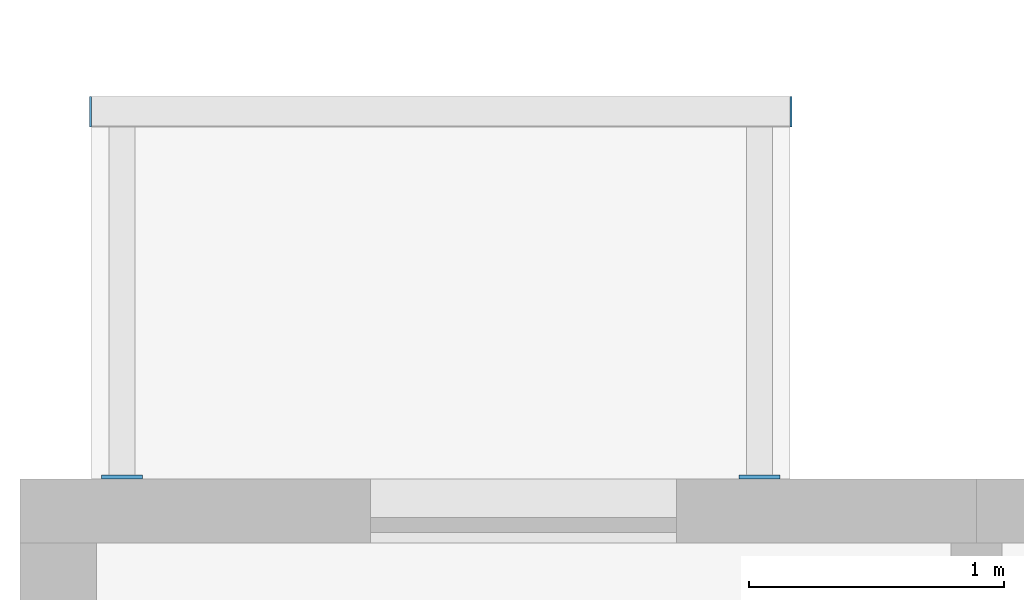
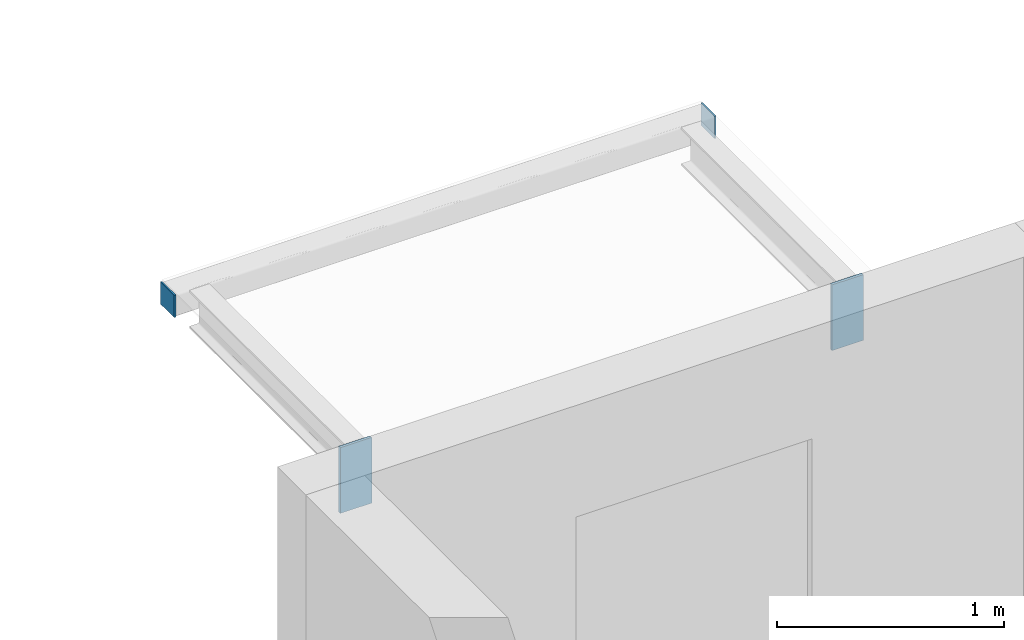
# One storey, part 55 of 78: 4 discrete accessories.
"""IFC4 building model written with IfcOpenShell, lengths in metres."""

from ifc_helpers import new_model, si_unit, direction, frame, origin, origin_2d, place, context, subcontext, project, spatial, rectangle, extrude, material, layer, layer_set, type_object, element, save


model = new_model("IFC4")

# Units and contexts
model_context = context("Model", 3, precision=1e-05, world=origin(), true_north=direction((0.0, 1.0)))
body_context = subcontext(model_context, "Body", "Model", "MODEL_VIEW")
ifc_project = project(units=[si_unit("LENGTHUNIT", "METRE"), si_unit("AREAUNIT", "SQUARE_METRE"), si_unit("VOLUMEUNIT", "CUBIC_METRE"), si_unit("PLANEANGLEUNIT", "RADIAN"), si_unit("MASSUNIT", "GRAM", prefix="KILO")], contexts=[model_context])

# Site, building, storey
site_placement = place(None, origin())
site = spatial("IfcSite", under=ifc_project, at=site_placement, CompositionType="ELEMENT")
building_placement = place(site_placement, origin())
building = spatial("IfcBuilding", under=site, at=building_placement, Name="Ridgestep Commons", CompositionType="ELEMENT")
storey_placement = place(building_placement, frame((0.0, 0.0, 30.0)))
storey = spatial("IfcBuildingStorey", under=building, at=storey_placement, Name="L10", CompositionType="ELEMENT", Elevation=30.0)

# Discrete accessories
ifc_material_1 = material(Name="Weathering steel S355J2W", Category="steel")
ifc_layer_1 = layer(ifc_material_1, 0.014892578125)
ifc_layer_set_1 = layer_set([ifc_layer_1], Name="Tray bracket plate 15")
discrete_accessory_type_1 = type_object("IfcDiscreteAccessoryType", Name="Tray bracket plate 15", PredefinedType="BRACKET", material=ifc_layer_set_1)
for number, where, z_axis, x_axis, name in (
    (1, (12.25, 23.007568359375, 2.63671875), (0.0, 0.0, 1.0), (1.0, 0.0, 0.0), "Tray bracket A1T1-11.1"),
    (2, (14.75, 23.007568359375, 2.63671875), (0.0, 0.0, 1.0), (1.0, 0.0, 0.0), "Tray bracket A1T1-11.2"),
):
    element("IfcDiscreteAccessory", number, at=place(storey_placement, frame(where, z_axis=z_axis, x_axis=x_axis)), inside=storey, type_object=discrete_accessory_type_1, Name=name, PredefinedType="BRACKET", context=body_context, shape_type="SweptSolid", body=[
        extrude(rectangle(XDim=0.159912109375, YDim=0.014892578125, at=origin_2d()), origin(), (0.0, 0.0, 1.0), 0.353271484375),
    ])
ifc_material_2 = material(Name="Weathering steel S355J2W", Category="steel")
ifc_layer_2 = layer(ifc_material_2, 0.008056640625)
ifc_layer_set_2 = layer_set([ifc_layer_2], Name="Tray edge member end plate 120 x 120 x 8")
discrete_accessory_type_2 = type_object("IfcDiscreteAccessoryType", Name="Tray edge member end plate 120 x 120 x 8", PredefinedType="BRACKET", material=ifc_layer_set_2)
for number, where, z_axis, x_axis, name in (
    (3, (12.1259765625, 24.43994140625, 2.869873046875), (0.0, 0.0, 1.0), (1.0, 0.0, 0.0), "Tray edge member end plate A1T1-11 west"),
    (4, (14.8740234375, 24.43994140625, 2.869873046875), (0.0, 0.0, 1.0), (1.0, 0.0, 0.0), "Tray edge member end plate A1T1-11 east"),
):
    element("IfcDiscreteAccessory", number, at=place(storey_placement, frame(where, z_axis=z_axis, x_axis=x_axis)), inside=storey, type_object=discrete_accessory_type_2, Name=name, PredefinedType="BRACKET", context=body_context, shape_type="SweptSolid", body=[
        extrude(rectangle(XDim=0.008056640625, YDim=0.1201171875, at=origin_2d()), origin(), (0.0, 0.0, 1.0), 0.1201171875),
    ])

save(model, "model.ifc")
